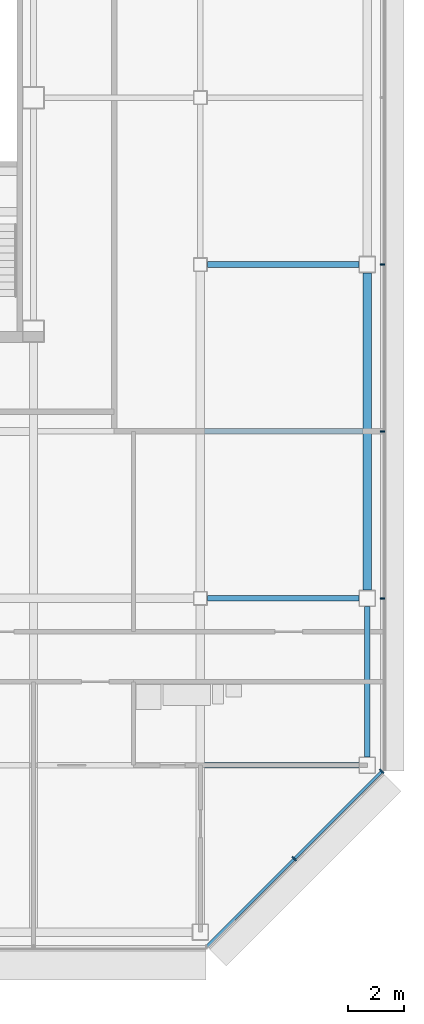
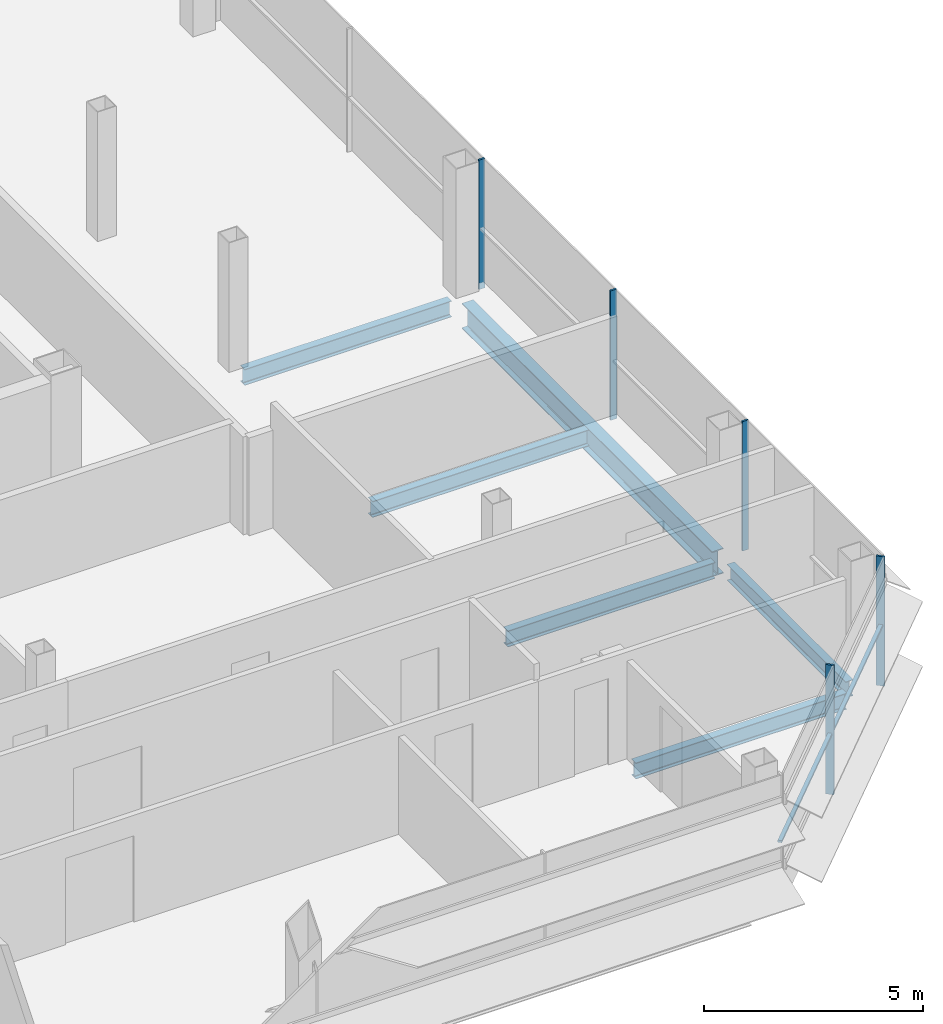
# One storey, part 17 of 28: 6 beams, 6 members, 2 elements without a shape of their own.
"""IFC4 building model written with IfcOpenShell, lengths in metres."""

from ifc_helpers import new_model, si_unit, direction, frame, origin, origin_2d, place, context, subcontext, project, spatial, rectangle, i_section, extrude, material, material_profile, profile_set, type_object, element, aggregate, save


model = new_model("IFC4")

# Units and contexts
model_context = context("Model", 3, precision=1e-05, world=origin(), true_north=direction((0.0, 1.0)))
body_context = subcontext(model_context, "Body", "Model", "MODEL_VIEW")
ifc_project = project(units=[si_unit("LENGTHUNIT", "METRE"), si_unit("AREAUNIT", "SQUARE_METRE"), si_unit("VOLUMEUNIT", "CUBIC_METRE"), si_unit("PLANEANGLEUNIT", "RADIAN"), si_unit("MASSUNIT", "GRAM", prefix="KILO")], contexts=[model_context])

# Site, building, storey
site_placement = place(None, origin())
site = spatial("IfcSite", under=ifc_project, at=site_placement, CompositionType="ELEMENT")
building_placement = place(site_placement, origin())
building = spatial("IfcBuilding", under=site, at=building_placement, Name="Sorahane Residences", CompositionType="ELEMENT")
storey_placement = place(building_placement, frame((0.0, 0.0, 273.800048828125)))
storey = spatial("IfcBuildingStorey", under=building, at=storey_placement, Name="L65", CompositionType="ELEMENT", Elevation=273.800048828125)

# Curtain wall, members
ifc_material_1 = material(Name="Dark low-e glass and black anodised aluminium", Category="aluminium")
curtain_wall_type_1 = type_object("IfcCurtainWallType", Name="Curtain wall CW-1 Typical unitised wall", PredefinedType="NOTDEFINED", material=ifc_material_1)
curtain_wall_1_placement = place(storey_placement, origin())
curtain_wall_1 = element("IfcCurtainWall", 1, at=curtain_wall_1_placement, inside=storey, type_object=curtain_wall_type_1, Name="CW-1 curtain wall L65 E1", PredefinedType="NOTDEFINED")
ifc_material_2 = material(Name="Black anodised aluminium", Category="aluminium")
ifc_material_profile_1 = material_profile(ifc_material_2, rectangle(XDim=0.159912109375, YDim=0.050048828125, at=origin_2d()), Name="Curtain wall mullion CW-1 black anodised aluminium 50x160")
ifc_profile_set_1 = profile_set([ifc_material_profile_1], Name="Black anodised aluminium")
member_type_1 = type_object("IfcMemberType", Name="Curtain wall mullion CW-1 black anodised aluminium 50x160", PredefinedType="MULLION", material=ifc_profile_set_1)
member_1_placement = place(storey_placement, frame((54.5400390625, 12.0, -0.179931640625), z_axis=(0.0, 0.0, 1.0), x_axis=(1.0, 0.0, 0.0)))
member_1 = element("IfcMember", 2, at=member_1_placement, type_object=member_type_1, Name="CW-1 mullion L65 E1.2", PredefinedType="MULLION", context=body_context, shape_type="SweptSolid", body=[
    extrude(rectangle(XDim=0.159912109375, YDim=0.050048828125, at=origin_2d()), origin(), (0.0, 0.0, 1.0), 3.599853515625),
])
member_2_placement = place(storey_placement, frame((54.5400390625, 18.0, -0.179931640625), z_axis=(0.0, 0.0, 1.0), x_axis=(1.0, 0.0, 0.0)))
member_2 = element("IfcMember", 3, at=member_2_placement, type_object=member_type_1, Name="CW-1 mullion L65 E1.3", PredefinedType="MULLION", context=body_context, shape_type="SweptSolid", body=[
    extrude(rectangle(XDim=0.159912109375, YDim=0.050048828125, at=origin_2d()), origin(), (0.0, 0.0, 1.0), 3.599853515625),
])
member_3_placement = place(storey_placement, frame((54.5400390625, 24.0, -0.179931640625), z_axis=(0.0, 0.0, 1.0), x_axis=(1.0, 0.0, 0.0)))
member_3 = element("IfcMember", 4, at=member_3_placement, type_object=member_type_1, Name="CW-1 mullion L65 E1.4", PredefinedType="MULLION", context=body_context, shape_type="SweptSolid", body=[
    extrude(rectangle(XDim=0.159912109375, YDim=0.050048828125, at=origin_2d()), origin(), (0.0, 0.0, 1.0), 3.599853515625),
])
aggregate(curtain_wall_1, [member_1, member_2, member_3])

ifc_material_3 = material(Name="Dark low-e glass and black anodised aluminium", Category="aluminium")
curtain_wall_type_2 = type_object("IfcCurtainWallType", Name="Curtain wall CW-2 Chamfer unitised wall", PredefinedType="NOTDEFINED", material=ifc_material_3)
curtain_wall_2_placement = place(storey_placement, origin())
curtain_wall_2 = element("IfcCurtainWall", 5, at=curtain_wall_2_placement, inside=storey, type_object=curtain_wall_type_2, Name="CW-2 curtain wall L65 SE1", PredefinedType="NOTDEFINED")
ifc_material_4 = material(Name="Black anodised aluminium", Category="aluminium")
ifc_material_profile_2 = material_profile(ifc_material_4, rectangle(XDim=0.199951171875, YDim=0.050048828125, at=origin_2d()), Name="Curtain wall mullion CW-2 black anodised aluminium 50x200")
ifc_profile_set_2 = profile_set([ifc_material_profile_2], Name="Black anodised aluminium")
member_type_2 = type_object("IfcMemberType", Name="Curtain wall mullion CW-2 black anodised aluminium 50x200", PredefinedType="MULLION", material=ifc_profile_set_2)
member_4_placement = place(storey_placement, frame((51.36767578125, 2.63232421875, -0.179931640625), z_axis=(0.0, 0.0, 1.0), x_axis=(0.707106781187, -0.707106781187, 0.0)))
member_4 = element("IfcMember", 6, at=member_4_placement, type_object=member_type_2, Name="CW-2 mullion L65 SE1.2", PredefinedType="MULLION", context=body_context, shape_type="SweptSolid", body=[
    extrude(rectangle(XDim=0.199951171875, YDim=0.050048828125, at=origin_2d()), origin(), (0.0, 0.0, 1.0), 3.599853515625),
])
member_5_placement = place(storey_placement, frame((54.525634765625, 5.790283203125, -0.179931640625), z_axis=(0.0, 0.0, 1.0), x_axis=(0.707106781187, -0.707106781187, 0.0)))
member_5 = element("IfcMember", 7, at=member_5_placement, type_object=member_type_2, Name="CW-2 mullion L65 SE1.3", PredefinedType="MULLION", context=body_context, shape_type="SweptSolid", body=[
    extrude(rectangle(XDim=0.199951171875, YDim=0.050048828125, at=origin_2d()), origin(), (0.0, 0.0, 1.0), 3.599853515625),
])
ifc_material_5 = material(Name="Black anodised aluminium", Category="aluminium")
ifc_material_profile_3 = material_profile(ifc_material_5, rectangle(XDim=0.10009765625, YDim=0.06005859375, at=origin_2d()), Name="Curtain wall transom CW-2 black anodised aluminium 60x100")
ifc_profile_set_3 = profile_set([ifc_material_profile_3], Name="Black anodised aluminium")
member_type_3 = type_object("IfcMemberType", Name="Curtain wall transom CW-2 black anodised aluminium 60x100", PredefinedType="USERDEFINED", material=ifc_profile_set_3)
member_6_placement = place(storey_placement, frame((48.234375, -0.51513671875, 1.5), z_axis=(0.707106781187, 0.707106781187, 0.0), x_axis=(-0.707106781187, 0.707106781187, 0.0)))
member_6 = element("IfcMember", 8, at=member_6_placement, type_object=member_type_3, Name="CW-2 transom L65 SE1", ObjectType="TRANSOM", PredefinedType="USERDEFINED", context=body_context, shape_type="SweptSolid", body=[
    extrude(rectangle(XDim=0.10009765625, YDim=0.06005859375, at=origin_2d()), origin(), (0.0, 0.0, 1.0), 8.88232421875),
])
aggregate(curtain_wall_2, [member_4, member_5, member_6])

# Beams
ifc_material_6 = material(Name="Steel Q355B", Category="steel")
ifc_material_profile_4 = material_profile(ifc_material_6, i_section(OverallWidth=0.199951171875, OverallDepth=0.449951171875, WebThickness=0.009033203125, FlangeThickness=0.013916015625, FilletRadius=0.02001953125, at=origin_2d()), Name="HN 450x200x9x14")
ifc_profile_set_4 = profile_set([ifc_material_profile_4], Name="Steel Q355B")
beam_type_1 = type_object("IfcBeamType", Name="Steel floor beam HN 450x200x9x14 Q355B", PredefinedType="BEAM", material=ifc_profile_set_4)
for number, where, z_axis, x_axis, name in (
    (9, (48.25, 12.0, -0.405029296875), (1.0, 0.0, 0.0), (0.0, 1.0, 0.0), "Beam L65 010"),
    (10, (48.25, 24.0, -0.405029296875), (1.0, 0.0, 0.0), (0.0, 1.0, 0.0), "Beam L65 012"),
):
    element("IfcBeam", number, at=place(storey_placement, frame(where, z_axis=z_axis, x_axis=x_axis)), inside=storey, type_object=beam_type_1, Name=name, PredefinedType="BEAM", context=body_context, shape_type="SweptSolid", body=[
        extrude(i_section(OverallWidth=0.199951171875, OverallDepth=0.449951171875, WebThickness=0.009033203125, FlangeThickness=0.013916015625, FilletRadius=0.02001953125, at=origin_2d()), origin(), (0.0, 0.0, 1.0), 5.449951171875),
    ])
beam_1_placement = place(storey_placement, frame((54.0, 6.300048828125, -0.405029296875), z_axis=(0.0, 1.0, 0.0), x_axis=(-1.0, 0.0, 0.0)))
element("IfcBeam", 11, at=beam_1_placement, inside=storey, type_object=beam_type_1, Name="Beam L65 064", PredefinedType="BEAM", context=body_context, shape_type="SweptSolid", body=[
    extrude(i_section(OverallWidth=0.199951171875, OverallDepth=0.449951171875, WebThickness=0.009033203125, FlangeThickness=0.013916015625, FilletRadius=0.02001953125, at=origin_2d()), origin(), (0.0, 0.0, 1.0), 5.39990234375),
])
beam_2_placement = place(storey_placement, frame((48.14990234375, 6.0, -0.405029296875), z_axis=(1.0, 0.0, 0.0), x_axis=(0.0, 1.0, 0.0)))
element("IfcBeam", 12, at=beam_2_placement, inside=storey, type_object=beam_type_1, Name="Beam L65 077", PredefinedType="BEAM", context=body_context, shape_type="SweptSolid", body=[
    extrude(i_section(OverallWidth=0.199951171875, OverallDepth=0.449951171875, WebThickness=0.009033203125, FlangeThickness=0.013916015625, FilletRadius=0.02001953125, at=origin_2d()), origin(), (0.0, 0.0, 1.0), 5.550048828125),
])
beam_3_placement = place(storey_placement, frame((48.14990234375, 18.0, -0.405029296875), z_axis=(1.0, 0.0, 0.0), x_axis=(0.0, 1.0, 0.0)))
element("IfcBeam", 13, at=beam_3_placement, inside=storey, type_object=beam_type_1, Name="Beam L65 084", PredefinedType="BEAM", context=body_context, shape_type="SweptSolid", body=[
    extrude(i_section(OverallWidth=0.199951171875, OverallDepth=0.449951171875, WebThickness=0.009033203125, FlangeThickness=0.013916015625, FilletRadius=0.02001953125, at=origin_2d()), origin(), (0.0, 0.0, 1.0), 5.7001953125),
])
ifc_material_7 = material(Name="Steel Q355B", Category="steel")
ifc_material_profile_5 = material_profile(ifc_material_7, i_section(OverallWidth=0.300048828125, OverallDepth=0.699951171875, WebThickness=0.012939453125, FlangeThickness=0.02392578125, FilletRadius=0.028076171875, at=origin_2d()), Name="HN 700x300x13x24")
ifc_profile_set_5 = profile_set([ifc_material_profile_5], Name="Steel Q355B")
beam_type_2 = type_object("IfcBeamType", Name="Steel floor beam HN 700x300x13x24 Q355B", PredefinedType="BEAM", material=ifc_profile_set_5)
beam_4_placement = place(storey_placement, frame((54.0, 12.300048828125, -0.530029296875), z_axis=(0.0, 1.0, 0.0), x_axis=(-1.0, 0.0, 0.0)))
element("IfcBeam", 14, at=beam_4_placement, inside=storey, type_object=beam_type_2, Name="Beam L65 065", PredefinedType="BEAM", context=body_context, shape_type="SweptSolid", body=[
    extrude(i_section(OverallWidth=0.300048828125, OverallDepth=0.699951171875, WebThickness=0.012939453125, FlangeThickness=0.02392578125, FilletRadius=0.028076171875, at=origin_2d()), origin(), (0.0, 0.0, 1.0), 11.39990234375),
])

save(model, "model.ifc")
